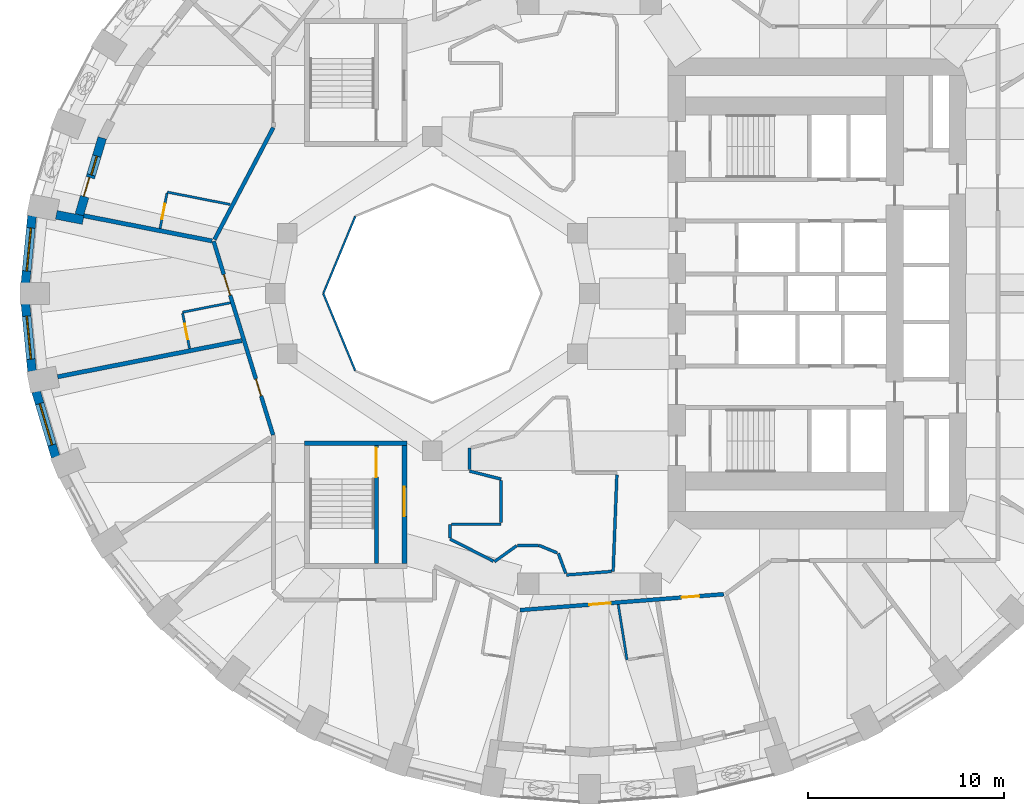
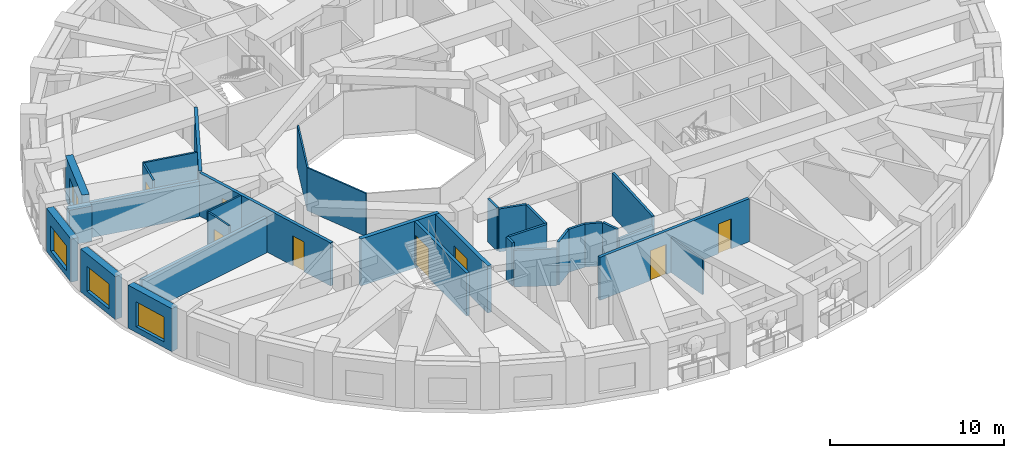
# One storey, part 4 of 13: 32 walls, 9 doors, 4 windows, 13 openings.
"""IFC4 building model written with IfcOpenShell, lengths in metres."""

import ifcopenshell
import ifcopenshell.guid

model = None  # the IFC model being written
_history = None  # IfcOwnerHistory: only IFC2X3 demands one
_inside = {}  # id of a spatial element -> (the spatial element, [elements in it])
_under = {}  # id of a project, library or spatial element -> (it, [spatial elements below it])
_declared = {}  # id of a project -> (the project, [libraries it declares])
_typed = {}  # id of a type object -> (the type object, [elements of that type])
_made_of = {}  # id of a material, layer set ... -> (it, [elements and type objects made of it])


def new_model(schema):
    """Start an empty IFC model of exactly this schema.

    Asked for "IFC4X3", IfcOpenShell would pick the latest addendum, in which some entities
    have other attributes; the version numbers below select the first issue.
    IFC2X3 requires an IfcOwnerHistory on every rooted entity: one is made here for all.
    """
    global model, _history
    if schema == "IFC4X3":
        model = ifcopenshell.file(schema_version=(4, 3, 0, 0))
    else:
        model = ifcopenshell.file(schema=schema)
    _inside.clear()
    _under.clear()
    _declared.clear()
    _typed.clear()
    _made_of.clear()
    _history = None
    if model.schema == "IFC2X3":
        org = make("IfcOrganization", Name="unknown")
        user = make(
            "IfcPersonAndOrganization",
            ThePerson=make("IfcPerson", FamilyName="unknown"),
            TheOrganization=org,
        )
        app = make(
            "IfcApplication",
            ApplicationDeveloper=org,
            Version="unknown",
            ApplicationFullName="unknown",
            ApplicationIdentifier="unknown",
        )
        _history = make(
            "IfcOwnerHistory",
            OwningUser=user,
            OwningApplication=app,
            ChangeAction="ADDED",
            CreationDate=0,
        )
    return model


def make(cls, **values):
    """One entity of the class cls with the attributes given. An attribute that is None is left unset."""
    return model.create_entity(
        cls, **{name: value for name, value in values.items() if value is not None}
    )


def rooted(cls, **values):
    """An entity with a GlobalId (a new one), such as an element, a storey or a relation."""
    return make(cls, GlobalId=ifcopenshell.guid.new(), OwnerHistory=_history, **values)


def si_unit(unit_type, name, prefix=None):
    """IfcSIUnit, for example si_unit("LENGTHUNIT", "METRE", prefix="MILLI")."""
    return make("IfcSIUnit", UnitType=unit_type, Prefix=prefix, Name=name)


def assignment(units):
    """IfcUnitAssignment: the units of a project."""
    return None if units is None else make("IfcUnitAssignment", Units=units)


def point(xyz):
    """IfcCartesianPoint."""
    return None if xyz is None else make("IfcCartesianPoint", Coordinates=xyz)


def direction(xyz):
    """IfcDirection."""
    return None if xyz is None else make("IfcDirection", DirectionRatios=xyz)


def frame(location, z_axis=None, x_axis=None):
    """IfcAxis2Placement3D, a coordinate frame: its origin and axes. An axis left out is left unset."""
    return make(
        "IfcAxis2Placement3D",
        Location=point(location),
        Axis=direction(z_axis),
        RefDirection=direction(x_axis),
    )


def frame_2d(location, x_axis=None):
    """IfcAxis2Placement2D, a coordinate frame in the plane: its origin and x axis."""
    return make(
        "IfcAxis2Placement2D", Location=point(location), RefDirection=direction(x_axis)
    )


def origin():
    """The frame at (0, 0, 0) with its axes left unset."""
    return frame((0.0, 0.0, 0.0))


def place(relative_to, where):
    """IfcLocalPlacement: puts the frame where relative to a parent placement (None: the world)."""
    return make(
        "IfcLocalPlacement", PlacementRelTo=relative_to, RelativePlacement=where
    )


def context(
    kind, dimensions, precision=None, world=None, true_north=None, identifier=None
):
    """IfcGeometricRepresentationContext, for example the 3D "Model" context."""
    return make(
        "IfcGeometricRepresentationContext",
        ContextIdentifier=identifier,
        ContextType=kind,
        CoordinateSpaceDimension=dimensions,
        Precision=precision,
        WorldCoordinateSystem=world,
        TrueNorth=true_north,
    )


def subcontext(parent, identifier, kind, view, scale=None):
    """IfcGeometricRepresentationSubContext, for example "Body" below "Model"."""
    return make(
        "IfcGeometricRepresentationSubContext",
        ContextIdentifier=identifier,
        ContextType=kind,
        ParentContext=parent,
        TargetScale=scale,
        TargetView=view,
    )


def project(units=None, contexts=None):
    """IfcProject with its units and contexts."""
    return rooted(
        "IfcProject",
        Name="project",
        RepresentationContexts=contexts,
        UnitsInContext=assignment(units),
    )


def spatial(cls, under=None, at=None, **own):
    """A site, building, storey or space (cls), placed at a placement, below another one or the project."""
    s = rooted(cls, ObjectPlacement=at, **own)
    if under is not None:
        _under.setdefault(under.id(), (under, []))[1].append(s)
    return s


def profile(cls, at=None, kind="AREA", **sizes):
    """A parametric profile (cls). Its sizes go by their IFC names, for example OverallWidth=200.0."""
    return make(cls, ProfileType=kind, Position=at, **sizes)


def rectangle(**sizes):
    """IfcRectangleProfileDef."""
    return profile("IfcRectangleProfileDef", **sizes)


def extrude(swept, where, along, depth):
    """IfcExtrudedAreaSolid: the profile swept, set in the frame where, extruded along a direction by depth."""
    return make(
        "IfcExtrudedAreaSolid",
        SweptArea=swept,
        Position=where,
        ExtrudedDirection=direction(along),
        Depth=depth,
    )


def shape(context_of_items, identifier, shape_type, items):
    """IfcShapeRepresentation: the items that make up one representation, for example the "Body"."""
    return make(
        "IfcShapeRepresentation",
        ContextOfItems=context_of_items,
        RepresentationIdentifier=identifier,
        RepresentationType=shape_type,
        Items=items,
    )


def material(Name=None, Category=None):
    """IfcMaterial."""
    return make("IfcMaterial", Name=Name, Category=Category)


def layer(
    of_material, thickness, ventilated=None, Name=None, Category=None, Priority=None
):
    """IfcMaterialLayer: one layer of a wall or slab, of a material (None: an air gap)."""
    return make(
        "IfcMaterialLayer",
        Material=of_material,
        LayerThickness=thickness,
        IsVentilated=ventilated,
        Name=Name,
        Category=Category,
        Priority=Priority,
    )


def layer_set(layers, Name=None):
    """IfcMaterialLayerSet."""
    return make("IfcMaterialLayerSet", MaterialLayers=layers, LayerSetName=Name)


def made_of(thing, what):
    """Note that an element or type object is made of a material, layer set ...; save() writes the relation."""
    if what is not None:
        _made_of.setdefault(what.id(), (what, []))[1].append(thing)
    return thing


def type_object(cls, material=None, **own):
    """A type object (cls), such as IfcWallType, which elements share."""
    return made_of(rooted(cls, **own), material)


def element(
    cls,
    number,
    at=None,
    inside=None,
    cuts=None,
    type_object=None,
    material=None,
    context=None,
    identifier="Body",
    shape_type=None,
    held_by="IfcProductDefinitionShape",
    body=None,
    shapes=None,
    **own,
):
    """One element of the class cls, such as IfcWall. Its Tag is "e" and its number.

    at: its placement. inside: the storey or other place that contains it. cuts: it is an
    opening in that element (IfcRelVoidsElement). A single representation is given by context,
    identifier, shape_type and body (its items); several are given by shapes. held_by: the class
    of the entity that holds the representations. save() writes the other relations.
    """
    e = rooted(cls, Tag="e%d" % number, ObjectPlacement=at, **own)
    if body is not None:
        shapes = [shape(context, identifier, shape_type, body)]
    if shapes is not None:
        e.Representation = make(held_by, Representations=shapes)
    if inside is not None:
        _inside.setdefault(inside.id(), (inside, []))[1].append(e)
    if cuts is not None:
        rooted(
            "IfcRelVoidsElement", RelatingBuildingElement=cuts, RelatedOpeningElement=e
        )
    if type_object is not None:
        _typed.setdefault(type_object.id(), (type_object, []))[1].append(e)
    return made_of(e, material)


def fill(opening, filler):
    """IfcRelFillsElement: the door or window that sits in an opening."""
    return rooted(
        "IfcRelFillsElement",
        RelatingOpeningElement=opening,
        RelatedBuildingElement=filler,
    )


def aggregate(whole, parts):
    """IfcRelAggregates: a whole, such as a stair, and the parts it consists of."""
    return rooted("IfcRelAggregates", RelatingObject=whole, RelatedObjects=parts)


def save(model, path):
    """Write the relations noted so far, then the file.

    IfcRelAggregates (storeys below a building ...), IfcRelContainedInSpatialStructure (elements
    in a storey), IfcRelDefinesByType, IfcRelAssociatesMaterial and IfcRelDeclares: one each for
    every whole, place, type object, material and project.
    """
    for whole, parts in _under.values():
        aggregate(whole, parts)
    for where, things in _inside.values():
        rooted(
            "IfcRelContainedInSpatialStructure",
            RelatedElements=things,
            RelatingStructure=where,
        )
    for kind, things in _typed.values():
        rooted("IfcRelDefinesByType", RelatedObjects=things, RelatingType=kind)
    for what, things in _made_of.values():
        rooted("IfcRelAssociatesMaterial", RelatedObjects=things, RelatingMaterial=what)
    for by, libraries in _declared.values():
        rooted("IfcRelDeclares", RelatingContext=by, RelatedDefinitions=libraries)
    model.write(path)


model = new_model("IFC4")

# Units and contexts
model_context = context("Model", 3, precision=1e-05, world=origin(), true_north=direction((0.0, 1.0)))
body_context = subcontext(model_context, "Body", "Model", "MODEL_VIEW")
ifc_project = project(units=[si_unit("LENGTHUNIT", "METRE"), si_unit("AREAUNIT", "SQUARE_METRE"), si_unit("VOLUMEUNIT", "CUBIC_METRE"), si_unit("PLANEANGLEUNIT", "RADIAN"), si_unit("MASSUNIT", "GRAM", prefix="KILO")], contexts=[model_context])

# Site, building, storey
site_placement = place(None, origin())
site = spatial("IfcSite", under=ifc_project, at=site_placement, CompositionType="ELEMENT")
building_placement = place(site_placement, origin())
building = spatial("IfcBuilding", under=site, at=building_placement, Name="Taillehof Tower", CompositionType="ELEMENT")
storey_placement = place(building_placement, frame((0.0, 0.0, 34.89990234375)))
storey = spatial("IfcBuildingStorey", under=building, at=storey_placement, Name="L08", CompositionType="ELEMENT", Elevation=34.89990234375)

# Walls
ifc_material_1 = material(Name="Fire-resisting glass in steel frame", Category="steel")
ifc_layer_1 = layer(ifc_material_1, 0.10009765625)
ifc_layer_set_1 = layer_set([ifc_layer_1], Name="Atrium fire-resisting screen EI 60 100")
wall_type_1 = type_object("IfcWallType", Name="Atrium fire-resisting screen EI 60 100", PredefinedType="PARTITIONING", material=ifc_layer_set_1)
for number, where, z_axis, x_axis, name in (
    (1, (-11.92724609375, -3.92724609375, 0.0), (0.0, 0.0, 1.0), (-0.382730523909, 0.923860025149, 0.0), "Atrium screen"),
    (2, (-13.55419921875, 0.0, 0.0), (0.0, 0.0, 1.0), (0.382730523909, 0.923860025149, 0.0), "Atrium screen"),
):
    element("IfcWall", number, at=place(storey_placement, frame(where, z_axis=z_axis, x_axis=x_axis)), inside=storey, type_object=wall_type_1, Name=name, PredefinedType="PARTITIONING", context=body_context, shape_type="SweptSolid", body=[
        extrude(rectangle(XDim=4.2509765625, YDim=0.10009765625, at=frame_2d((2.12548828125, 0.0))), origin(), (0.0, 0.0, 1.0), 3.02001953125),
    ])

# Wall, opening, window
ifc_material_2 = material(Name="Brick masonry", Category="masonry")
ifc_layer_2 = layer(ifc_material_2, 0.449951171875)
ifc_layer_set_2 = layer_set([ifc_layer_2], Name="Brick infill wall 450")
wall_type_2 = type_object("IfcWallType", Name="Brick infill wall 450", PredefinedType="SOLIDWALL", material=ifc_layer_set_2)
wall_1_placement = place(storey_placement, frame((-28.38671875, 3.95556640625, 0.0), z_axis=(0.0, 0.0, 1.0), x_axis=(-0.097389581596, -0.995246336038, 0.0)))
wall_1 = element("IfcWall", 3, at=wall_1_placement, inside=storey, type_object=wall_type_2, Name="Brick wall L08 bay 18", PredefinedType="SOLIDWALL", context=body_context, shape_type="SweptSolid", body=[
    extrude(rectangle(XDim=3.44189453125, YDim=0.449951171875, at=frame_2d((1.720947265625, 0.0))), origin(), (0.0, 0.0, 1.0), 3.02001953125),
])
opening_1_placement = place(wall_1_placement, frame((0.62109375, 0.0, 0.39990234375)))
opening_1 = element("IfcOpeningElement", 4, at=opening_1_placement, cuts=wall_1, Name="Opening W1", PredefinedType="OPENING", context=body_context, shape_type="SweptSolid", body=[
    extrude(rectangle(XDim=2.199951171875, YDim=1.75, at=frame_2d((1.10009765625, 0.875))), frame((0.0, 0.23486328125, 0.0), z_axis=(0.0, -1.0, 0.0), x_axis=(1.0, 0.0, 0.0)), (0.0, 0.0, 1.0), 0.469970703125),
])
ifc_material_3 = material(Name="Aluminium window frame with clear double glazing", Category="aluminium")
window_type_1 = type_object("IfcWindowType", Name="Deep-set window 2200x1750", PartitioningType="SINGLE_PANEL", PredefinedType="WINDOW", material=ifc_material_3)
window_1_placement = place(opening_1_placement, origin())
window_1 = element("IfcWindow", 5, at=window_1_placement, inside=storey, type_object=window_type_1, Name="W1", OverallHeight=1.75, OverallWidth=2.199951171875, PartitioningType="SINGLE_PANEL", PredefinedType="WINDOW", context=body_context, shape_type="SweptSolid", body=[
    extrude(rectangle(XDim=2.199951171875, YDim=1.75, at=frame_2d((1.10009765625, 0.875))), frame((0.0, 0.034912109375, 0.0), z_axis=(0.0, -1.0, 0.0), x_axis=(1.0, 0.0, 0.0)), (0.0, 0.0, 1.0), 0.06005859375),
])
fill(opening_1, window_1)

wall_2_placement = place(storey_placement, frame((-28.721923828125, -0.530029296875, 0.0), z_axis=(0.0, 0.0, 1.0), x_axis=(0.097389581596, -0.995246336038, 0.0)))
wall_2 = element("IfcWall", 6, at=wall_2_placement, inside=storey, type_object=wall_type_2, Name="Brick wall L08 bay 19", PredefinedType="SOLIDWALL", context=body_context, shape_type="SweptSolid", body=[
    extrude(rectangle(XDim=3.44189453125, YDim=0.449951171875, at=frame_2d((1.720947265625, 0.0))), origin(), (0.0, 0.0, 1.0), 3.02001953125),
])
opening_2_placement = place(wall_2_placement, frame((0.62109375, 0.0, 0.39990234375)))
opening_2 = element("IfcOpeningElement", 7, at=opening_2_placement, cuts=wall_2, Name="Opening W1", PredefinedType="OPENING", context=body_context, shape_type="SweptSolid", body=[
    extrude(rectangle(XDim=2.199951171875, YDim=1.75, at=frame_2d((1.10009765625, 0.875))), frame((0.0, 0.23486328125, 0.0), z_axis=(0.0, -1.0, 0.0), x_axis=(1.0, 0.0, 0.0)), (0.0, 0.0, 1.0), 0.469970703125),
])
window_2_placement = place(opening_2_placement, origin())
window_2 = element("IfcWindow", 8, at=window_2_placement, inside=storey, type_object=window_type_1, Name="W1", OverallHeight=1.75, OverallWidth=2.199951171875, PartitioningType="SINGLE_PANEL", PredefinedType="WINDOW", context=body_context, shape_type="SweptSolid", body=[
    extrude(rectangle(XDim=2.199951171875, YDim=1.75, at=frame_2d((1.10009765625, 0.875))), frame((0.0, 0.034912109375, 0.0), z_axis=(0.0, -1.0, 0.0), x_axis=(1.0, 0.0, 0.0)), (0.0, 0.0, 1.0), 0.06005859375),
])
fill(opening_2, window_2)

wall_3_placement = place(storey_placement, frame((-28.181884765625, -4.995849609375, 0.0), z_axis=(0.0, 0.0, 1.0), x_axis=(0.287064133733, -0.957911364963, 0.0)))
wall_3 = element("IfcWall", 9, at=wall_3_placement, inside=storey, type_object=wall_type_2, Name="Brick wall L08 bay 20", PredefinedType="SOLIDWALL", context=body_context, shape_type="SweptSolid", body=[
    extrude(rectangle(XDim=3.473388671875, YDim=0.449951171875, at=frame_2d((1.73681640625, 0.0))), origin(), (0.0, 0.0, 1.0), 3.02001953125),
])
opening_3_placement = place(wall_3_placement, frame((0.63671875, 0.0, 0.39990234375)))
opening_3 = element("IfcOpeningElement", 10, at=opening_3_placement, cuts=wall_3, Name="Opening W1", PredefinedType="OPENING", context=body_context, shape_type="SweptSolid", body=[
    extrude(rectangle(XDim=2.199951171875, YDim=1.75, at=frame_2d((1.10009765625, 0.875))), frame((0.0, 0.23486328125, 0.0), z_axis=(0.0, -1.0, 0.0), x_axis=(1.0, 0.0, 0.0)), (0.0, 0.0, 1.0), 0.469970703125),
])
window_3_placement = place(opening_3_placement, origin())
window_3 = element("IfcWindow", 11, at=window_3_placement, inside=storey, type_object=window_type_1, Name="W1", OverallHeight=1.75, OverallWidth=2.199951171875, PartitioningType="SINGLE_PANEL", PredefinedType="WINDOW", context=body_context, shape_type="SweptSolid", body=[
    extrude(rectangle(XDim=2.199951171875, YDim=1.75, at=frame_2d((1.10009765625, 0.875))), frame((0.0, 0.034912109375, 0.0), z_axis=(0.0, -1.0, 0.0), x_axis=(1.0, 0.0, 0.0)), (0.0, 0.0, 1.0), 0.06005859375),
])
fill(opening_3, window_3)

# Wall
wall_4_placement = place(storey_placement, frame((-27.15087890625, 4.008544921875, 0.0), z_axis=(0.0, 0.0, 1.0), x_axis=(0.981197182729, -0.1930080014, 0.0)))
element("IfcWall", 12, at=wall_4_placement, inside=storey, type_object=wall_type_2, Name="Brick reveal L08 pocket 4", PredefinedType="SOLIDWALL", context=body_context, shape_type="SweptSolid", body=[
    extrude(rectangle(XDim=1.39013671875, YDim=0.449951171875, at=frame_2d((0.695068359375, 0.0))), origin(), (0.0, 0.0, 1.0), 2.47021484375),
])

# Wall, openings, door, window
wall_5_placement = place(storey_placement, frame((-24.811767578125, 7.92529296875, 0.0), z_axis=(0.0, 0.0, 1.0), x_axis=(-0.286389028326, -0.95811341941, 0.0)))
wall_5 = element("IfcWall", 13, at=wall_5_placement, inside=storey, type_object=wall_type_2, Name="Brick wall L08 pocket bay 17", PredefinedType="SOLIDWALL", context=body_context, shape_type="SweptSolid", body=[
    extrude(rectangle(XDim=4.08837890625, YDim=0.449951171875, at=frame_2d((2.044189453125, 0.0))), origin(), (0.0, 0.0, 1.0), 3.02001953125),
])
opening_4_placement = place(wall_5_placement, frame((0.96923828125, 0.0, 0.39990234375)))
opening_4 = element("IfcOpeningElement", 14, at=opening_4_placement, cuts=wall_5, Name="Opening W5", PredefinedType="OPENING", context=body_context, shape_type="SweptSolid", body=[
    extrude(rectangle(XDim=1.0, YDim=1.75, at=frame_2d((0.5, 0.875))), frame((0.0, 0.23486328125, 0.0), z_axis=(0.0, -1.0, 0.0), x_axis=(1.0, 0.0, 0.0)), (0.0, 0.0, 1.0), 0.469970703125),
])
opening_5_placement = place(wall_5_placement, frame((2.119140625, 0.0, 0.0)))
opening_5 = element("IfcOpeningElement", 15, at=opening_5_placement, cuts=wall_5, Name="Opening D0893", PredefinedType="OPENING", context=body_context, shape_type="SweptSolid", body=[
    extrude(rectangle(XDim=1.0, YDim=2.14990234375, at=frame_2d((0.5, 1.074951171875))), frame((0.0, 0.23486328125, 0.0), z_axis=(0.0, -1.0, 0.0), x_axis=(1.0, 0.0, 0.0)), (0.0, 0.0, 1.0), 0.469970703125),
])
ifc_material_4 = material(Name="Aluminium door frame with clear double glazing", Category="aluminium")
door_type_1 = type_object("IfcDoorType", Name="Balcony door 1000x2150", OperationType="SINGLE_SWING_RIGHT", PredefinedType="DOOR", material=ifc_material_4)
door_1_placement = place(opening_5_placement, frame((1.0, 0.0, 0.0), z_axis=(0.0, 0.0, 1.0), x_axis=(-1.0, 0.0, 0.0)))
door_1 = element("IfcDoor", 16, at=door_1_placement, inside=storey, type_object=door_type_1, Name="Balcony door L08 bay 17", OperationType="SINGLE_SWING_LEFT", OverallHeight=2.14990234375, OverallWidth=1.0, PredefinedType="DOOR", context=body_context, shape_type="SweptSolid", body=[
    extrude(rectangle(XDim=1.0, YDim=2.14990234375, at=frame_2d((0.5, 1.074951171875))), frame((0.0, 0.0751953125, 0.0), z_axis=(0.0, -1.0, 0.0), x_axis=(1.0, 0.0, 0.0)), (0.0, 0.0, 1.0), 0.050048828125),
])
fill(opening_5, door_1)
ifc_material_5 = material(Name="Aluminium window frame with clear double glazing", Category="aluminium")
window_type_2 = type_object("IfcWindowType", Name="Fixed window 1000x1750", PartitioningType="SINGLE_PANEL", PredefinedType="WINDOW", material=ifc_material_5)
window_4_placement = place(opening_4_placement, origin())
window_4 = element("IfcWindow", 17, at=window_4_placement, inside=storey, type_object=window_type_2, Name="W5", OverallHeight=1.75, OverallWidth=1.0, PartitioningType="SINGLE_PANEL", PredefinedType="WINDOW", context=body_context, shape_type="SweptSolid", body=[
    extrude(rectangle(XDim=1.0, YDim=1.75, at=frame_2d((0.5, 0.875))), frame((0.0, 0.034912109375, 0.0), z_axis=(0.0, -1.0, 0.0), x_axis=(1.0, 0.0, 0.0)), (0.0, 0.0, 1.0), 0.06005859375),
])
fill(opening_4, window_4)

# Wall, openings, doors
ifc_material_6 = material(Name="Gypsum board on steel studs, two layers each side", Category="steel")
ifc_layer_3 = layer(ifc_material_6, 0.199951171875)
ifc_layer_set_3 = layer_set([ifc_layer_3], Name="Compartment wall corridor 200")
wall_type_3 = type_object("IfcWallType", Name="Compartment wall corridor 200", PredefinedType="PARTITIONING", material=ifc_layer_set_3)
wall_6_placement = place(storey_placement, frame((6.84033203125, -15.31298828125, 0.0), z_axis=(0.0, 0.0, 1.0), x_axis=(-0.996968882229, -0.077801335898, 0.0)))
wall_6 = element("IfcWall", 18, at=wall_6_placement, inside=storey, type_object=wall_type_3, Name="Compartment wall", PredefinedType="PARTITIONING", context=body_context, shape_type="SweptSolid", body=[
    extrude(rectangle(XDim=10.40869140625, YDim=0.199951171875, at=frame_2d((5.204345703125, 0.0))), origin(), (0.0, 0.0, 1.0), 3.02001953125),
])
opening_6_placement = place(wall_6_placement, frame((5.7734375, 0.0, 0.0)))
opening_6 = element("IfcOpeningElement", 19, at=opening_6_placement, cuts=wall_6, Name="Opening D0857", PredefinedType="OPENING", context=body_context, shape_type="SweptSolid", body=[
    extrude(rectangle(XDim=1.10009765625, YDim=2.10009765625, at=frame_2d((0.550048828125, 1.050048828125))), frame((0.0, 0.10986328125, 0.0), z_axis=(0.0, -1.0, 0.0), x_axis=(1.0, 0.0, 0.0)), (0.0, 0.0, 1.0), 0.219970703125),
])
opening_7_placement = place(wall_6_placement, frame((1.255126953125, 0.0, 0.0)))
opening_7 = element("IfcOpeningElement", 20, at=opening_7_placement, cuts=wall_6, Name="Opening D0859", PredefinedType="OPENING", context=body_context, shape_type="SweptSolid", body=[
    extrude(rectangle(XDim=0.89990234375, YDim=2.10009765625, at=frame_2d((0.449951171875, 1.050048828125))), frame((0.0, 0.10986328125, 0.0), z_axis=(0.0, -1.0, 0.0), x_axis=(1.0, 0.0, 0.0)), (0.0, 0.0, 1.0), 0.219970703125),
])
ifc_material_7 = material(Name="Timber door leaf in steel frame", Category="steel")
door_type_2 = type_object("IfcDoorType", Name="Service room door EI 30 900 x 2100", OperationType="SINGLE_SWING_LEFT", PredefinedType="DOOR", material=ifc_material_7)
door_2_placement = place(opening_7_placement, origin())
door_2 = element("IfcDoor", 21, at=door_2_placement, inside=storey, type_object=door_type_2, Name="D0859", OperationType="SINGLE_SWING_RIGHT", OverallHeight=2.10009765625, OverallWidth=0.89990234375, PredefinedType="DOOR", context=body_context, shape_type="SweptSolid", body=[
    extrude(rectangle(XDim=0.89990234375, YDim=2.10009765625, at=frame_2d((0.449951171875, 1.050048828125))), frame((0.0, 0.02490234375, 0.0), z_axis=(0.0, -1.0, 0.0), x_axis=(1.0, 0.0, 0.0)), (0.0, 0.0, 1.0), 0.050048828125),
])
fill(opening_7, door_2)
ifc_material_8 = material(Name="Timber door leaf in steel frame", Category="steel")
door_type_3 = type_object("IfcDoorType", Name="Suite entrance door EI 30 1100 x 2100", OperationType="SINGLE_SWING_LEFT", PredefinedType="DOOR", material=ifc_material_8)
door_3_placement = place(opening_6_placement, origin())
door_3 = element("IfcDoor", 22, at=door_3_placement, inside=storey, type_object=door_type_3, Name="D0857", OperationType="SINGLE_SWING_LEFT", OverallHeight=2.10009765625, OverallWidth=1.10009765625, PredefinedType="DOOR", context=body_context, shape_type="SweptSolid", body=[
    extrude(rectangle(XDim=1.10009765625, YDim=2.10009765625, at=frame_2d((0.550048828125, 1.050048828125))), frame((0.0, 0.02490234375, 0.0), z_axis=(0.0, -1.0, 0.0), x_axis=(1.0, 0.0, 0.0)), (0.0, 0.0, 1.0), 0.050048828125),
])
fill(opening_6, door_3)

wall_7_placement = place(storey_placement, frame((-16.11181640625, -7.20263671875, 0.0), z_axis=(0.0, 0.0, 1.0), x_axis=(-0.293439067289, 0.95597777892, 0.0)))
wall_7 = element("IfcWall", 23, at=wall_7_placement, inside=storey, type_object=wall_type_3, Name="Compartment wall", PredefinedType="PARTITIONING", context=body_context, shape_type="SweptSolid", body=[
    extrude(rectangle(XDim=10.3193359375, YDim=0.199951171875, at=frame_2d((5.15966796875, 0.0))), origin(), (0.0, 0.0, 1.0), 3.02001953125),
])
opening_8_placement = place(wall_7_placement, frame((7.4443359375, 0.0, 0.0)))
opening_8 = element("IfcOpeningElement", 24, at=opening_8_placement, cuts=wall_7, Name="Opening D0850", PredefinedType="OPENING", context=body_context, shape_type="SweptSolid", body=[
    extrude(rectangle(XDim=1.10009765625, YDim=2.10009765625, at=frame_2d((0.550048828125, 1.050048828125))), frame((0.0, 0.10986328125, 0.0), z_axis=(0.0, -1.0, 0.0), x_axis=(1.0, 0.0, 0.0)), (0.0, 0.0, 1.0), 0.219970703125),
])
opening_9_placement = place(wall_7_placement, frame((2.080810546875, 0.0, 0.0)))
opening_9 = element("IfcOpeningElement", 25, at=opening_9_placement, cuts=wall_7, Name="Opening D0852", PredefinedType="OPENING", context=body_context, shape_type="SweptSolid", body=[
    extrude(rectangle(XDim=0.89990234375, YDim=2.10009765625, at=frame_2d((0.449951171875, 1.050048828125))), frame((0.0, 0.10986328125, 0.0), z_axis=(0.0, -1.0, 0.0), x_axis=(1.0, 0.0, 0.0)), (0.0, 0.0, 1.0), 0.219970703125),
])
door_4_placement = place(opening_9_placement, origin())
door_4 = element("IfcDoor", 26, at=door_4_placement, inside=storey, type_object=door_type_2, Name="D0852", OperationType="SINGLE_SWING_LEFT", OverallHeight=2.10009765625, OverallWidth=0.89990234375, PredefinedType="DOOR", context=body_context, shape_type="SweptSolid", body=[
    extrude(rectangle(XDim=0.89990234375, YDim=2.10009765625, at=frame_2d((0.449951171875, 1.050048828125))), frame((0.0, 0.02490234375, 0.0), z_axis=(0.0, -1.0, 0.0), x_axis=(1.0, 0.0, 0.0)), (0.0, 0.0, 1.0), 0.050048828125),
])
fill(opening_9, door_4)
door_5_placement = place(opening_8_placement, origin())
door_5 = element("IfcDoor", 27, at=door_5_placement, inside=storey, type_object=door_type_3, Name="D0850", OperationType="SINGLE_SWING_LEFT", OverallHeight=2.10009765625, OverallWidth=1.10009765625, PredefinedType="DOOR", context=body_context, shape_type="SweptSolid", body=[
    extrude(rectangle(XDim=1.10009765625, YDim=2.10009765625, at=frame_2d((0.550048828125, 1.050048828125))), frame((0.0, 0.02490234375, 0.0), z_axis=(0.0, -1.0, 0.0), x_axis=(1.0, 0.0, 0.0)), (0.0, 0.0, 1.0), 0.050048828125),
])
fill(opening_8, door_5)

# Walls
wall_8_placement = place(storey_placement, frame((-19.093505859375, 2.75146484375, 0.0), z_axis=(0.0, 0.0, 1.0), x_axis=(0.464994434802, 0.88531360297, 0.0)))
element("IfcWall", 28, at=wall_8_placement, inside=storey, type_object=wall_type_3, Name="Compartment wall", PredefinedType="PARTITIONING", context=body_context, shape_type="SweptSolid", body=[
    extrude(rectangle(XDim=6.4375, YDim=0.199951171875, at=frame_2d((3.21875, 0.0))), origin(), (0.0, 0.0, 1.0), 3.02001953125),
])
ifc_material_9 = material(Name="Gypsum board on double steel studs with mineral wool", Category="steel")
ifc_layer_4 = layer(ifc_material_9, 0.219970703125)
ifc_layer_set_4 = layer_set([ifc_layer_4], Name="Compartment wall guest room 220")
wall_type_4 = type_object("IfcWallType", Name="Compartment wall guest room 220", PredefinedType="PARTITIONING", material=ifc_layer_set_4)
wall_9_placement = place(storey_placement, frame((-25.760986328125, 3.96435546875, 0.0), z_axis=(0.0, 0.0, 1.0), x_axis=(0.981216162043, -0.192911490963, 0.0)))
element("IfcWall", 29, at=wall_9_placement, inside=storey, type_object=wall_type_4, Name="Compartment wall", PredefinedType="PARTITIONING", context=body_context, shape_type="SweptSolid", body=[
    extrude(rectangle(XDim=6.668212890625, YDim=0.219970703125, at=frame_2d((3.333984375, 0.0))), origin(), (0.0, 0.0, 1.0), 2.47021484375),
])
wall_10_placement = place(storey_placement, frame((-27.0849609375, -4.239990234375, 0.0), z_axis=(0.0, 0.0, 1.0), x_axis=(0.981199931552, 0.192994026651, 0.0)))
element("IfcWall", 30, at=wall_10_placement, inside=storey, type_object=wall_type_4, Name="Compartment wall", PredefinedType="PARTITIONING", context=body_context, shape_type="SweptSolid", body=[
    extrude(rectangle(XDim=9.55224609375, YDim=0.219970703125, at=frame_2d((4.776123046875, 0.0))), origin(), (0.0, 0.0, 1.0), 2.47021484375),
])
ifc_material_10 = material(Name="Gypsum board on steel studs, two layers each side", Category="steel")
ifc_layer_5 = layer(ifc_material_10, 0.14990234375)
ifc_layer_set_5 = layer_set([ifc_layer_5], Name="Compartment wall service room 150")
wall_type_5 = type_object("IfcWallType", Name="Compartment wall service room 150", PredefinedType="PARTITIONING", material=ifc_layer_set_5)
wall_11_placement = place(storey_placement, frame((-4.5, -9.449951171875, 0.0), z_axis=(0.0, 0.0, 1.0), x_axis=(-0.9698567074, 0.24367594693, 0.0)))
element("IfcWall", 31, at=wall_11_placement, inside=storey, type_object=wall_type_5, Name="Compartment wall", PredefinedType="PARTITIONING", context=body_context, shape_type="SweptSolid", body=[
    extrude(rectangle(XDim=1.662109375, YDim=0.14990234375, at=frame_2d((0.8310546875, 0.0))), origin(), (0.0, 0.0, 1.0), 3.02001953125),
])
wall_12_placement = place(storey_placement, frame((-6.111083984375, -8.96484375, 0.0), z_axis=(0.0, 0.0, 1.0), x_axis=(0.010095962879, 0.999949034468, 0.0)))
element("IfcWall", 32, at=wall_12_placement, inside=storey, type_object=wall_type_5, Name="Compartment wall", PredefinedType="PARTITIONING", context=body_context, shape_type="SweptSolid", body=[
    extrude(rectangle(XDim=1.088134765625, YDim=0.14990234375, at=frame_2d((0.5439453125, 0.0))), origin(), (0.0, 0.0, 1.0), 3.02001953125),
])
wall_13_placement = place(storey_placement, frame((1.39697265625, -9.22998046875, 0.0), z_axis=(0.0, 0.0, 1.0), x_axis=(-0.038741742932, -0.99924925687, 0.0)))
element("IfcWall", 33, at=wall_13_placement, inside=storey, type_object=wall_type_5, Name="Compartment wall", PredefinedType="PARTITIONING", context=body_context, shape_type="SweptSolid", body=[
    extrude(rectangle(XDim=4.921630859375, YDim=0.14990234375, at=frame_2d((2.4609375, 0.0))), origin(), (0.0, 0.0, 1.0), 3.02001953125),
])
wall_14_placement = place(storey_placement, frame((1.126220703125, -14.15380859375, 0.0), z_axis=(0.0, 0.0, 1.0), x_axis=(-0.996959190057, -0.077925434624, 0.0)))
element("IfcWall", 34, at=wall_14_placement, inside=storey, type_object=wall_type_5, Name="Compartment wall", PredefinedType="PARTITIONING", context=body_context, shape_type="SweptSolid", body=[
    extrude(rectangle(XDim=2.30908203125, YDim=0.14990234375, at=frame_2d((1.154541015625, 0.0))), origin(), (0.0, 0.0, 1.0), 2.420166015625),
])
wall_15_placement = place(storey_placement, frame((-1.2041015625, -14.258544921875, 0.0), z_axis=(0.0, 0.0, 1.0), x_axis=(-0.348483202919, 0.937315025636, 0.0)))
element("IfcWall", 35, at=wall_15_placement, inside=storey, type_object=wall_type_5, Name="Compartment wall", PredefinedType="PARTITIONING", context=body_context, shape_type="SweptSolid", body=[
    extrude(rectangle(XDim=1.094970703125, YDim=0.14990234375, at=frame_2d((0.54736328125, 0.0))), origin(), (0.0, 0.0, 1.0), 3.02001953125),
])
wall_16_placement = place(storey_placement, frame((-1.641357421875, -13.20947265625, 0.0), z_axis=(0.0, 0.0, 1.0), x_axis=(-0.923725449546, 0.383055209937, 0.0)))
element("IfcWall", 36, at=wall_16_placement, inside=storey, type_object=wall_type_5, Name="Compartment wall", PredefinedType="PARTITIONING", context=body_context, shape_type="SweptSolid", body=[
    extrude(rectangle(XDim=1.011474609375, YDim=0.14990234375, at=frame_2d((0.505859375, 0.0))), origin(), (0.0, 0.0, 1.0), 3.02001953125),
])
wall_17_placement = place(storey_placement, frame((-2.595703125, -12.822021484375, 0.0), z_axis=(0.0, 0.0, 1.0), x_axis=(-1.0, 0.0, 0.0)))
element("IfcWall", 37, at=wall_17_placement, inside=storey, type_object=wall_type_5, Name="Compartment wall", PredefinedType="PARTITIONING", context=body_context, shape_type="SweptSolid", body=[
    extrude(rectangle(XDim=1.080078125, YDim=0.14990234375, at=frame_2d((0.5400390625, 0.0))), origin(), (0.0, 0.0, 1.0), 3.02001953125),
])
wall_18_placement = place(storey_placement, frame((-3.70849609375, -12.845458984375, 0.0), z_axis=(0.0, 0.0, 1.0), x_axis=(-0.812857190658, -0.58246303539, 0.0)))
element("IfcWall", 38, at=wall_18_placement, inside=storey, type_object=wall_type_5, Name="Compartment wall", PredefinedType="PARTITIONING", context=body_context, shape_type="SweptSolid", body=[
    extrude(rectangle(XDim=1.39453125, YDim=0.14990234375, at=frame_2d((0.697265625, 0.0))), origin(), (0.0, 0.0, 1.0), 3.02001953125),
])
wall_19_placement = place(storey_placement, frame((-4.8955078125, -13.630615234375, 0.0), z_axis=(0.0, 0.0, 1.0), x_axis=(-0.890208185307, 0.455553934032, 0.0)))
element("IfcWall", 39, at=wall_19_placement, inside=storey, type_object=wall_type_5, Name="Compartment wall", PredefinedType="PARTITIONING", context=body_context, shape_type="SweptSolid", body=[
    extrude(rectangle(XDim=2.4765625, YDim=0.14990234375, at=frame_2d((1.23828125, 0.0))), origin(), (0.0, 0.0, 1.0), 2.570068359375),
])
wall_20_placement = place(storey_placement, frame((-7.10009765625, -12.4423828125, 0.0), z_axis=(0.0, 0.0, 1.0), x_axis=(0.0, 1.0, 0.0)))
element("IfcWall", 40, at=wall_20_placement, inside=storey, type_object=wall_type_5, Name="Compartment wall", PredefinedType="PARTITIONING", context=body_context, shape_type="SweptSolid", body=[
    extrude(rectangle(XDim=0.6923828125, YDim=0.14990234375, at=frame_2d((0.34619140625, 0.0))), origin(), (0.0, 0.0, 1.0), 3.02001953125),
])
wall_21_placement = place(storey_placement, frame((-7.02001953125, -11.75, 0.0), z_axis=(0.0, 0.0, 1.0), x_axis=(1.0, 0.0, 0.0)))
element("IfcWall", 41, at=wall_21_placement, inside=storey, type_object=wall_type_5, Name="Compartment wall", PredefinedType="PARTITIONING", context=body_context, shape_type="SweptSolid", body=[
    extrude(rectangle(XDim=2.52001953125, YDim=0.14990234375, at=frame_2d((1.260009765625, 0.0))), origin(), (0.0, 0.0, 1.0), 3.02001953125),
])
wall_22_placement = place(storey_placement, frame((-4.5, -11.669921875, 0.0), z_axis=(0.0, 0.0, 1.0), x_axis=(0.0, 1.0, 0.0)))
element("IfcWall", 42, at=wall_22_placement, inside=storey, type_object=wall_type_5, Name="Compartment wall", PredefinedType="PARTITIONING", context=body_context, shape_type="SweptSolid", body=[
    extrude(rectangle(XDim=2.139892578125, YDim=0.14990234375, at=frame_2d((1.06982421875, 0.0))), origin(), (0.0, 0.0, 1.0), 3.02001953125),
])
ifc_material_11 = material(Name="Gypsum board on steel studs, moisture resistant", Category="steel")
ifc_layer_6 = layer(ifc_material_11, 0.1201171875)
ifc_layer_set_6 = layer_set([ifc_layer_6], Name="En-suite wall 120")
wall_type_6 = type_object("IfcWallType", Name="En-suite wall 120", PredefinedType="PARTITIONING", material=ifc_layer_set_6)
wall_23_placement = place(storey_placement, frame((-18.29150390625, 4.53369140625, 0.0), z_axis=(0.0, 0.0, 1.0), x_axis=(-0.981198627208, 0.193000657942, 0.0)))
element("IfcWall", 43, at=wall_23_placement, inside=storey, type_object=wall_type_6, Name="En-suite wall", PredefinedType="PARTITIONING", context=body_context, shape_type="SweptSolid", body=[
    extrude(rectangle(XDim=3.271240234375, YDim=0.1201171875, at=frame_2d((1.6357421875, 0.0))), origin(), (0.0, 0.0, 1.0), 3.02001953125),
])
wall_24_placement = place(storey_placement, frame((-18.282958984375, -0.470458984375, 0.0), z_axis=(0.0, 0.0, 1.0), x_axis=(-0.981208753495, -0.192949169643, 0.0)))
element("IfcWall", 44, at=wall_24_placement, inside=storey, type_object=wall_type_6, Name="En-suite wall", PredefinedType="PARTITIONING", context=body_context, shape_type="SweptSolid", body=[
    extrude(rectangle(XDim=2.491455078125, YDim=0.1201171875, at=frame_2d((1.24560546875, 0.0))), origin(), (0.0, 0.0, 1.0), 3.02001953125),
])
wall_25_placement = place(storey_placement, frame((1.466064453125, -15.8330078125, 0.0), z_axis=(0.0, 0.0, 1.0), x_axis=(0.156164367571, -0.987731081976, 0.0)))
element("IfcWall", 45, at=wall_25_placement, inside=storey, type_object=wall_type_6, Name="En-suite wall", PredefinedType="PARTITIONING", context=body_context, shape_type="SweptSolid", body=[
    extrude(rectangle(XDim=2.85791015625, YDim=0.1201171875, at=frame_2d((1.428955078125, 0.0))), origin(), (0.0, 0.0, 1.0), 2.47021484375),
])

# Wall, opening, door
wall_26_placement = place(storey_placement, frame((-21.512939453125, 5.1064453125, 0.0), z_axis=(0.0, 0.0, 1.0), x_axis=(-0.19288291118, -0.981221780524, 0.0)))
wall_26 = element("IfcWall", 46, at=wall_26_placement, inside=storey, type_object=wall_type_6, Name="En-suite wall", PredefinedType="PARTITIONING", context=body_context, shape_type="SweptSolid", body=[
    extrude(rectangle(XDim=1.830322265625, YDim=0.1201171875, at=frame_2d((0.9150390625, 0.0))), origin(), (0.0, 0.0, 1.0), 3.02001953125),
])
opening_10_placement = place(wall_26_placement, frame((0.540283203125, 0.0, 0.0)))
opening_10 = element("IfcOpeningElement", 47, at=opening_10_placement, cuts=wall_26, Name="Opening D0849", PredefinedType="OPENING", context=body_context, shape_type="SweptSolid", body=[
    extrude(rectangle(XDim=0.800048828125, YDim=2.10009765625, at=frame_2d((0.39990234375, 1.050048828125))), frame((0.0, 0.070068359375, 0.0), z_axis=(0.0, -1.0, 0.0), x_axis=(1.0, 0.0, 0.0)), (0.0, 0.0, 1.0), 0.14013671875),
])
ifc_material_12 = material(Name="Timber door leaf in steel frame", Category="steel")
door_type_4 = type_object("IfcDoorType", Name="En-suite door 800 x 2100", OperationType="SINGLE_SWING_LEFT", PredefinedType="DOOR", material=ifc_material_12)
door_6_placement = place(opening_10_placement, origin())
door_6 = element("IfcDoor", 48, at=door_6_placement, inside=storey, type_object=door_type_4, Name="D0849", OperationType="SINGLE_SWING_LEFT", OverallHeight=2.10009765625, OverallWidth=0.800048828125, PredefinedType="DOOR", context=body_context, shape_type="SweptSolid", body=[
    extrude(rectangle(XDim=0.800048828125, YDim=2.10009765625, at=frame_2d((0.39990234375, 1.050048828125))), frame((0.0, 0.02490234375, 0.0), z_axis=(0.0, -1.0, 0.0), x_axis=(1.0, 0.0, 0.0)), (0.0, 0.0, 1.0), 0.050048828125),
])
fill(opening_10, door_6)

wall_27_placement = place(storey_placement, frame((-20.716064453125, -1.010009765625, 0.0), z_axis=(0.0, 0.0, 1.0), x_axis=(0.193036598643, -0.981191557029, 0.0)))
wall_27 = element("IfcWall", 49, at=wall_27_placement, inside=storey, type_object=wall_type_6, Name="En-suite wall", PredefinedType="PARTITIONING", context=body_context, shape_type="SweptSolid", body=[
    extrude(rectangle(XDim=1.830078125, YDim=0.1201171875, at=frame_2d((0.9150390625, 0.0))), origin(), (0.0, 0.0, 1.0), 3.02001953125),
])
opening_11_placement = place(wall_27_placement, frame((0.5400390625, 0.0, 0.0)))
opening_11 = element("IfcOpeningElement", 50, at=opening_11_placement, cuts=wall_27, Name="Opening D0851", PredefinedType="OPENING", context=body_context, shape_type="SweptSolid", body=[
    extrude(rectangle(XDim=0.800048828125, YDim=2.10009765625, at=frame_2d((0.39990234375, 1.050048828125))), frame((0.0, 0.070068359375, 0.0), z_axis=(0.0, -1.0, 0.0), x_axis=(1.0, 0.0, 0.0)), (0.0, 0.0, 1.0), 0.14013671875),
])
door_7_placement = place(opening_11_placement, origin())
door_7 = element("IfcDoor", 51, at=door_7_placement, inside=storey, type_object=door_type_4, Name="D0851", OperationType="SINGLE_SWING_LEFT", OverallHeight=2.10009765625, OverallWidth=0.800048828125, PredefinedType="DOOR", context=body_context, shape_type="SweptSolid", body=[
    extrude(rectangle(XDim=0.800048828125, YDim=2.10009765625, at=frame_2d((0.39990234375, 1.050048828125))), frame((0.0, 0.02490234375, 0.0), z_axis=(0.0, -1.0, 0.0), x_axis=(1.0, 0.0, 0.0)), (0.0, 0.0, 1.0), 0.050048828125),
])
fill(opening_11, door_7)

ifc_material_13 = material(Name="Concrete C50/60", Category="concrete")
ifc_layer_7 = layer(ifc_material_13, 0.199951171875)
ifc_layer_set_7 = layer_set([ifc_layer_7], Name="Shaft wall C50/60 200")
wall_type_7 = type_object("IfcWallType", Name="Shaft wall C50/60 200", PredefinedType="SHEAR", material=ifc_layer_set_7)
wall_28_placement = place(storey_placement, frame((-10.85009765625, -13.75, 0.0), z_axis=(0.0, 0.0, 1.0), x_axis=(0.0, 1.0, 0.0)))
wall_28 = element("IfcWall", 52, at=wall_28_placement, inside=storey, type_object=wall_type_7, Name="Shaft wall SW", PredefinedType="SHEAR", context=body_context, shape_type="SweptSolid", body=[
    extrude(rectangle(XDim=6.0, YDim=0.199951171875, at=frame_2d((3.0, 0.0))), origin(), (0.0, 0.0, 1.0), 3.02001953125),
])
opening_12_placement = place(wall_28_placement, frame((4.39990234375, 0.0, 0.0)))
opening_12 = element("IfcOpeningElement", 53, at=opening_12_placement, cuts=wall_28, Name="Opening D0813", PredefinedType="OPENING", context=body_context, shape_type="SweptSolid", body=[
    extrude(rectangle(XDim=1.5, YDim=2.10009765625, at=frame_2d((0.75, 1.050048828125))), frame((0.0, 0.10986328125, 0.0), z_axis=(0.0, -1.0, 0.0), x_axis=(1.0, 0.0, 0.0)), (0.0, 0.0, 1.0), 0.219970703125),
])
ifc_material_14 = material(Name="Steel-faced fire door", Category="steel")
door_type_5 = type_object("IfcDoorType", Name="Stair door 1500x2100", OperationType="DOUBLE_DOOR_SINGLE_SWING", PredefinedType="DOOR", material=ifc_material_14)
door_8_placement = place(opening_12_placement, origin())
door_8 = element("IfcDoor", 54, at=door_8_placement, inside=storey, type_object=door_type_5, Name="Stair lobby door S4", OperationType="DOUBLE_DOOR_SINGLE_SWING", OverallHeight=2.10009765625, OverallWidth=1.5, PredefinedType="DOOR", context=body_context, shape_type="SweptSolid", body=[
    extrude(rectangle(XDim=1.5, YDim=2.10009765625, at=frame_2d((0.75, 1.050048828125))), frame((0.0, 0.02490234375, 0.0), z_axis=(0.0, -1.0, 0.0), x_axis=(1.0, 0.0, 0.0)), (0.0, 0.0, 1.0), 0.050048828125),
])
fill(opening_12, door_8)

ifc_material_15 = material(Name="Concrete C50/60", Category="concrete")
ifc_layer_8 = layer(ifc_material_15, 0.25)
ifc_layer_set_8 = layer_set([ifc_layer_8], Name="Stair wall C50/60 250")
wall_type_8 = type_object("IfcWallType", Name="Stair wall C50/60 250", PredefinedType="SHEAR", material=ifc_layer_set_8)
wall_29_placement = place(storey_placement, frame((-9.425048828125, -13.75, -0.27978515625), z_axis=(0.0, 0.0, 1.0), x_axis=(0.0, 1.0, 0.0)))
wall_29 = element("IfcWall", 55, at=wall_29_placement, inside=storey, type_object=wall_type_8, Name="Stair wall SC", PredefinedType="SHEAR", context=body_context, shape_type="SweptSolid", body=[
    extrude(rectangle(XDim=6.0, YDim=0.25, at=frame_2d((3.0, 0.0))), origin(), (0.0, 0.0, 1.0), 3.2998046875),
])
opening_13_placement = place(wall_29_placement, frame((2.39990234375, 0.0, 0.280029296875)))
opening_13 = element("IfcOpeningElement", 56, at=opening_13_placement, cuts=wall_29, Name="Opening D0820", PredefinedType="OPENING", context=body_context, shape_type="SweptSolid", body=[
    extrude(rectangle(XDim=1.5, YDim=2.10009765625, at=frame_2d((0.75, 1.050048828125))), frame((0.0, 0.135009765625, 0.0), z_axis=(0.0, -1.0, 0.0), x_axis=(1.0, 0.0, 0.0)), (0.0, 0.0, 1.0), 0.27001953125),
])
door_9_placement = place(opening_13_placement, origin())
door_9 = element("IfcDoor", 57, at=door_9_placement, inside=storey, type_object=door_type_5, Name="Stair door S4", OperationType="DOUBLE_DOOR_SINGLE_SWING", OverallHeight=2.10009765625, OverallWidth=1.5, PredefinedType="DOOR", context=body_context, shape_type="SweptSolid", body=[
    extrude(rectangle(XDim=1.5, YDim=2.10009765625, at=frame_2d((0.75, 1.050048828125))), frame((0.0, 0.02490234375, 0.0), z_axis=(0.0, -1.0, 0.0), x_axis=(1.0, 0.0, 0.0)), (0.0, 0.0, 1.0), 0.050048828125),
])
fill(opening_13, door_9)

# Wall
wall_30_placement = place(storey_placement, frame((-14.5, -7.625, -0.27978515625), z_axis=(0.0, 0.0, 1.0), x_axis=(1.0, 0.0, 0.0)))
element("IfcWall", 58, at=wall_30_placement, inside=storey, type_object=wall_type_8, Name="Stair wall SC", PredefinedType="SHEAR", context=body_context, shape_type="SweptSolid", body=[
    extrude(rectangle(XDim=5.199951171875, YDim=0.25, at=frame_2d((2.60009765625, 0.0))), origin(), (0.0, 0.0, 1.0), 3.2998046875),
])

save(model, "model.ifc")
